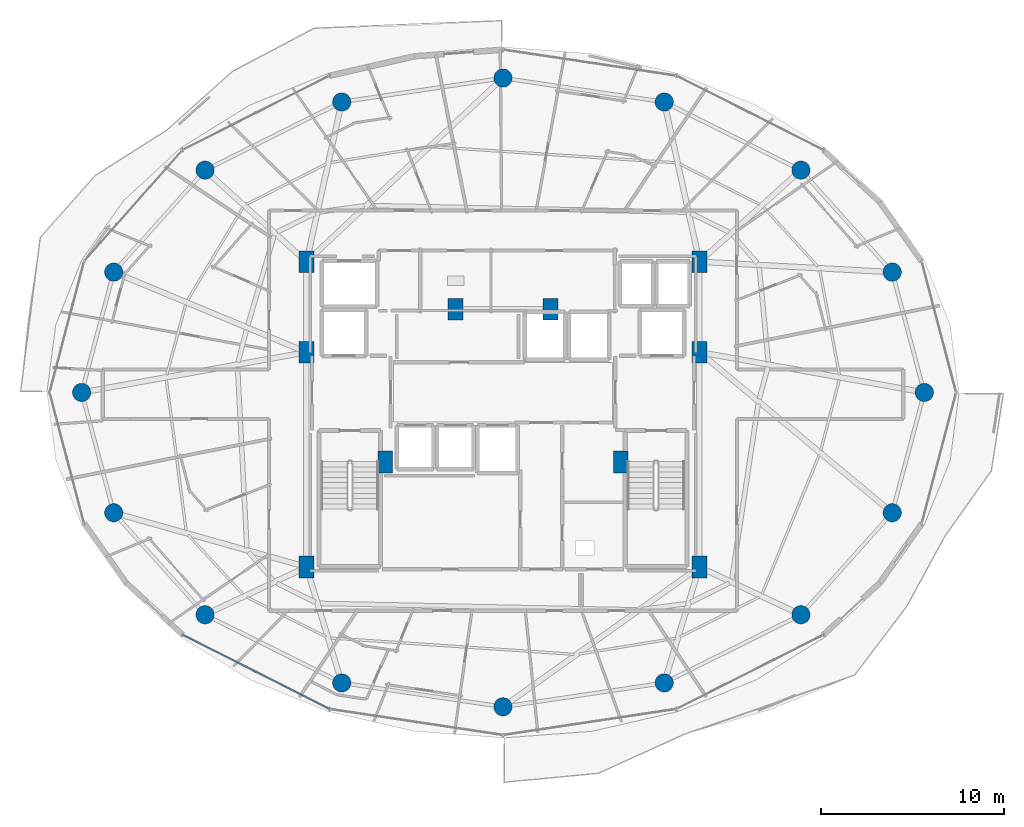
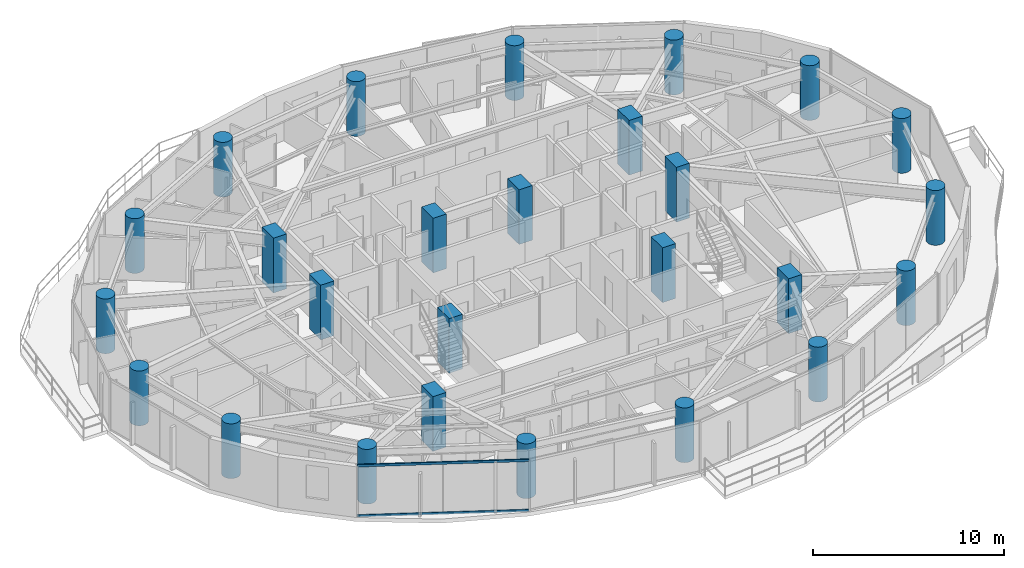
# One storey, part 1 of 30: 26 columns, 2 members, 1 element without a shape of its own.
"""IFC4 building model written with IfcOpenShell, lengths in metres."""

from ifc_helpers import new_model, si_unit, direction, frame, origin, origin_2d, place, context, subcontext, project, spatial, rectangle, hollow_rectangle, circle, extrude, material, material_profile, profile_set, type_object, element, aggregate, save


model = new_model("IFC4")

# Units and contexts
model_context = context("Model", 3, precision=1e-05, world=origin(), true_north=direction((0.0, 1.0)))
body_context = subcontext(model_context, "Body", "Model", "MODEL_VIEW")
ifc_project = project(units=[si_unit("LENGTHUNIT", "METRE"), si_unit("AREAUNIT", "SQUARE_METRE"), si_unit("VOLUMEUNIT", "CUBIC_METRE"), si_unit("PLANEANGLEUNIT", "RADIAN"), si_unit("MASSUNIT", "GRAM", prefix="KILO")], contexts=[model_context])

# Site, building, storey
site_placement = place(None, origin())
site = spatial("IfcSite", under=ifc_project, at=site_placement, CompositionType="ELEMENT")
building_placement = place(site_placement, origin())
building = spatial("IfcBuilding", under=site, at=building_placement, Name="Vorneva Point Tower", CompositionType="ELEMENT")
storey_placement = place(building_placement, frame((0.0, 0.0, 153.60009765625)))
storey = spatial("IfcBuildingStorey", under=building, at=storey_placement, Name="L41", CompositionType="ELEMENT", Elevation=153.60009765625)

# Columns
ifc_material_1 = material(Name="Concrete B60 (C50/60)", Category="concrete")
ifc_material_profile_1 = material_profile(ifc_material_1, circle(Radius=0.5, at=origin_2d()), Name="RC-CIRC 1000")
ifc_profile_set_1 = profile_set([ifc_material_profile_1], Name="Concrete B60 (C50/60)")
column_type_1 = type_object("IfcColumnType", Name="COL-RC1000C", PredefinedType="COLUMN", material=ifc_profile_set_1)
for number, where, z_axis, x_axis, name in (
    (1, (61.050048828125, 26.0, 0.0), (0.0, 0.0, 1.0), (1.0, 0.0, 0.0), "L41 Perimeter Column P01"),
    (2, (59.29541015625, 32.582275390625, 0.0), (0.0, 0.0, 1.0), (0.923879532511, 0.382683432365, 0.0), "L41 Perimeter Column P02"),
    (3, (54.298828125, 38.162109375, 0.0), (0.0, 0.0, 1.0), (0.707106781187, 0.707106781187, 0.0), "L41 Perimeter Column P03"),
    (4, (46.82080078125, 41.890625, 0.0), (0.0, 0.0, 1.0), (0.382683432365, 0.923879532511, 0.0), "L41 Perimeter Column P04"),
    (5, (38.0, 43.199951171875, 0.0), (0.0, 0.0, 1.0), (0.0, 1.0, 0.0), "L41 Perimeter Column P05"),
    (6, (29.17919921875, 41.890625, 0.0), (0.0, 0.0, 1.0), (-0.382683432365, 0.923879532511, 0.0), "L41 Perimeter Column P06"),
    (7, (21.701171875, 38.162109375, 0.0), (0.0, 0.0, 1.0), (-0.707106781187, 0.707106781187, 0.0), "L41 Perimeter Column P07"),
    (8, (16.70458984375, 32.582275390625, 0.0), (0.0, 0.0, 1.0), (-0.923879532511, 0.382683432365, 0.0), "L41 Perimeter Column P08"),
    (9, (14.949951171875, 26.0, 0.0), (0.0, 0.0, 1.0), (-1.0, 0.0, 0.0), "L41 Perimeter Column P09"),
    (10, (16.70458984375, 19.417724609375, 0.0), (0.0, 0.0, 1.0), (-0.923879532511, -0.382683432365, 0.0), "L41 Perimeter Column P10"),
    (11, (21.701171875, 13.837890625, 0.0), (0.0, 0.0, 1.0), (-0.707106781187, -0.707106781187, 0.0), "L41 Perimeter Column P11"),
    (12, (29.17919921875, 10.109375, 0.0), (0.0, 0.0, 1.0), (-0.382683432365, -0.923879532511, 0.0), "L41 Perimeter Column P12"),
    (13, (38.0, 8.800048828125, 0.0), (0.0, 0.0, 1.0), (0.0, -1.0, 0.0), "L41 Perimeter Column P13"),
    (14, (46.82080078125, 10.109375, 0.0), (0.0, 0.0, 1.0), (0.382683432365, -0.923879532511, 0.0), "L41 Perimeter Column P14"),
    (15, (54.298828125, 13.837890625, 0.0), (0.0, 0.0, 1.0), (0.707106781187, -0.707106781187, 0.0), "L41 Perimeter Column P15"),
    (16, (59.29541015625, 19.417724609375, 0.0), (0.0, 0.0, 1.0), (0.923879532511, -0.382683432365, 0.0), "L41 Perimeter Column P16"),
):
    element("IfcColumn", number, at=place(storey_placement, frame(where, z_axis=z_axis, x_axis=x_axis)), inside=storey, type_object=column_type_1, Name=name, PredefinedType="COLUMN", context=body_context, shape_type="SweptSolid", body=[
        extrude(circle(Radius=0.5, at=origin_2d()), origin(), (0.0, 0.0, 1.0), 3.5),
    ])
ifc_material_profile_2 = material_profile(ifc_material_1, rectangle(XDim=0.800048828125, YDim=1.199951171875, at=origin_2d()), Name="RC-PIL 1200x800")
ifc_profile_set_2 = profile_set([ifc_material_profile_2], Name="Concrete B60 (C50/60)")
column_type_2 = type_object("IfcColumnType", Name="PIL-RC1200x800", PredefinedType="PILASTER", material=ifc_profile_set_2)
for number, where, z_axis, x_axis, name in (
    (17, (27.25, 16.449951171875, 0.0), (0.0, 0.0, 1.0), (1.0, 0.0, 0.0), "L41 Core Pilaster CP1"),
    (18, (27.25, 28.199951171875, 0.0), (0.0, 0.0, 1.0), (1.0, 0.0, 0.0), "L41 Core Pilaster CP2"),
    (19, (27.25, 33.14990234375, 0.0), (0.0, 0.0, 1.0), (1.0, 0.0, 0.0), "L41 Core Pilaster CP3"),
    (20, (31.550048828125, 22.199951171875, 0.0), (0.0, 0.0, 1.0), (1.0, 0.0, 0.0), "L41 Core Pilaster CP4"),
    (21, (48.75, 33.14990234375, 0.0), (0.0, 0.0, 1.0), (1.0, 0.0, 0.0), "L41 Core Pilaster CP5"),
    (22, (48.75, 28.199951171875, 0.0), (0.0, 0.0, 1.0), (1.0, 0.0, 0.0), "L41 Core Pilaster CP6"),
    (23, (48.75, 16.449951171875, 0.0), (0.0, 0.0, 1.0), (1.0, 0.0, 0.0), "L41 Core Pilaster CP7"),
    (24, (44.449951171875, 22.199951171875, 0.0), (0.0, 0.0, 1.0), (1.0, 0.0, 0.0), "L41 Core Pilaster CP8"),
    (25, (35.39990234375, 30.550048828125, 0.0), (0.0, 0.0, 1.0), (1.0, 0.0, 0.0), "L41 Core Pilaster CP9"),
    (26, (40.60009765625, 30.550048828125, 0.0), (0.0, 0.0, 1.0), (1.0, 0.0, 0.0), "L41 Core Pilaster CP10"),
):
    element("IfcColumn", number, at=place(storey_placement, frame(where, z_axis=z_axis, x_axis=x_axis)), inside=storey, type_object=column_type_2, Name=name, PredefinedType="PILASTER", context=body_context, shape_type="SweptSolid", body=[
        extrude(rectangle(XDim=0.800048828125, YDim=1.199951171875, at=origin_2d()), origin(), (0.0, 0.0, 1.0), 3.5),
    ])

# Curtain wall, members
ifc_material_2 = material(Name="Pale anodised aluminium", Category="aluminium")
curtain_wall_type = type_object("IfcCurtainWallType", Name="CW-RES-SYS", PredefinedType="NOTDEFINED", material=ifc_material_2)
curtain_wall_placement = place(storey_placement, origin())
curtain_wall = element("IfcCurtainWall", 27, at=curtain_wall_placement, inside=storey, type_object=curtain_wall_type, Name="L41 Unitised Curtain Wall CW-L41-R04", PredefinedType="NOTDEFINED")
ifc_material_profile_3 = material_profile(ifc_material_2, hollow_rectangle(XDim=0.074951171875, YDim=0.14990234375, WallThickness=0.00390625, at=origin_2d()), Name="AL-TRN 150x75x4")
ifc_profile_set_3 = profile_set([ifc_material_profile_3], Name="Pale anodised aluminium")
member_type = type_object("IfcMemberType", Name="CW-TRN-150", PredefinedType="USERDEFINED", material=ifc_profile_set_3)
member_1_placement = place(storey_placement, frame((20.4638671875, 12.74169921875, 0.02001953125), z_axis=(0.892572392955, -0.450904117673, 0.0), x_axis=(0.450904117673, 0.892572392955, 0.0)))
member_1 = element("IfcMember", 28, at=member_1_placement, type_object=member_type, Name="CW-L41-R04 Transom 01.1", ObjectType="TRANSOM", PredefinedType="USERDEFINED", context=body_context, shape_type="SweptSolid", body=[
    extrude(hollow_rectangle(XDim=0.074951171875, YDim=0.14990234375, WallThickness=0.00390625, at=origin_2d()), origin(), (0.0, 0.0, 1.0), 9.013916015625),
])
member_2_placement = place(storey_placement, frame((20.4638671875, 12.74169921875, 3.219970703125), z_axis=(0.892572392955, -0.450904117673, 0.0), x_axis=(0.450904117673, 0.892572392955, 0.0)))
member_2 = element("IfcMember", 29, at=member_2_placement, type_object=member_type, Name="CW-L41-R04 Transom 01.2", ObjectType="TRANSOM", PredefinedType="USERDEFINED", context=body_context, shape_type="SweptSolid", body=[
    extrude(hollow_rectangle(XDim=0.074951171875, YDim=0.14990234375, WallThickness=0.00390625, at=origin_2d()), origin(), (0.0, 0.0, 1.0), 9.013916015625),
])
aggregate(curtain_wall, [member_1, member_2])

save(model, "model.ifc")
